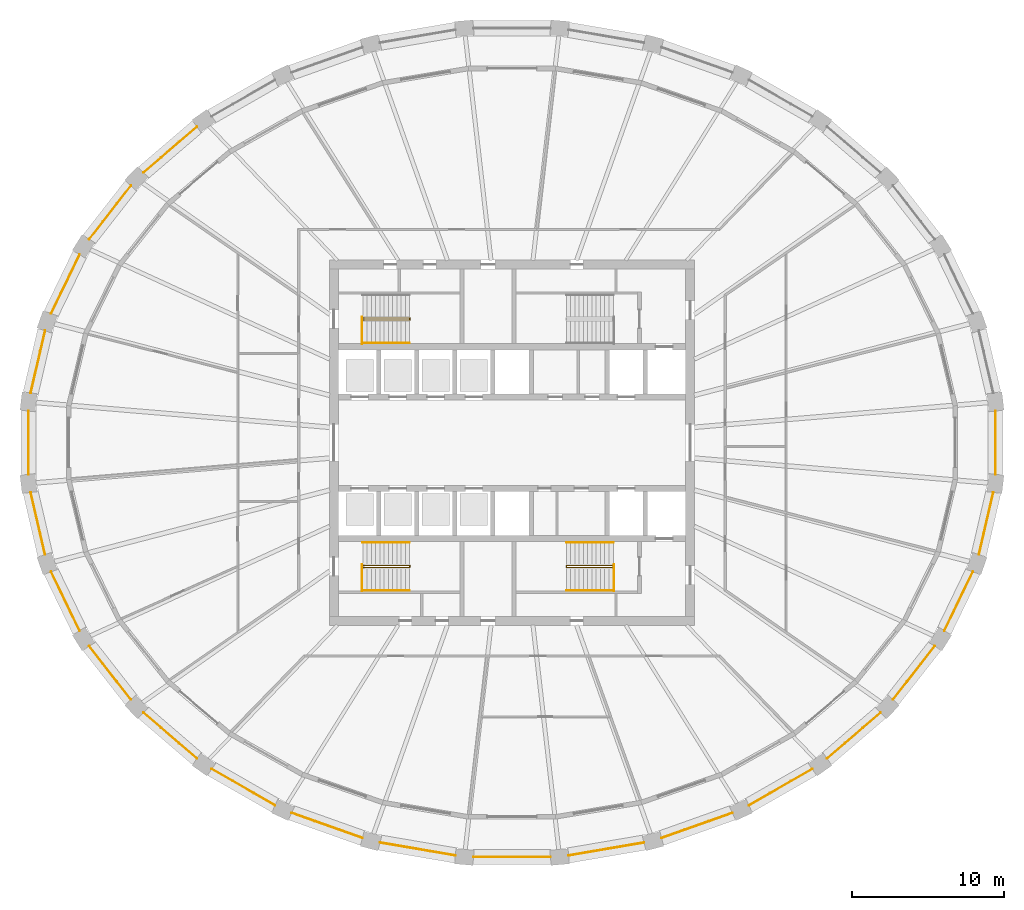
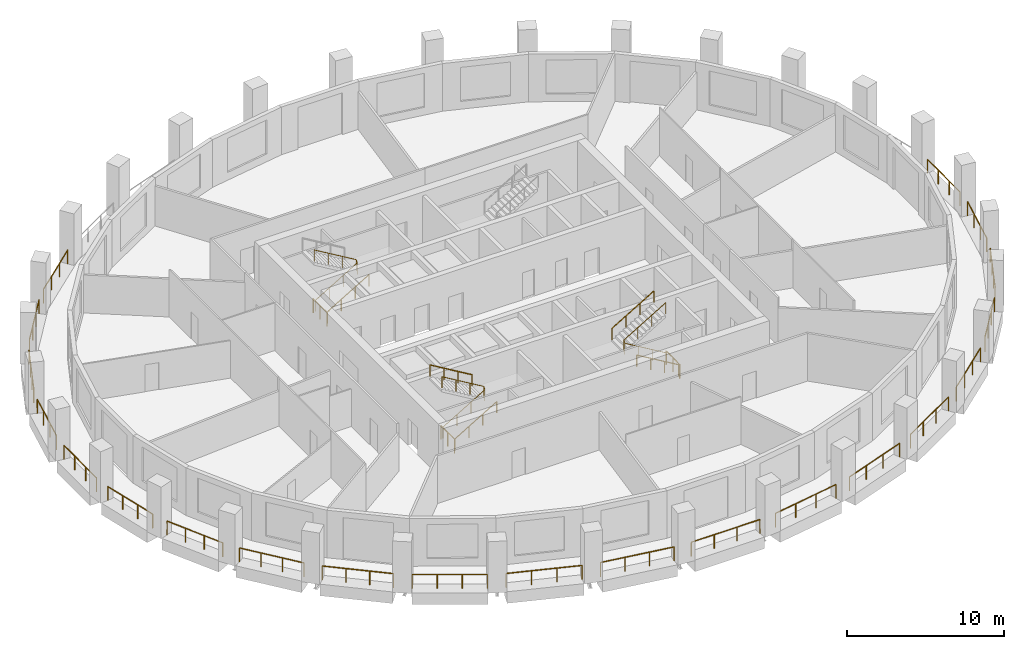
# One storey, part 9 of 11: 32 railings.
"""IFC4 building model written with IfcOpenShell, lengths in metres."""

from ifc_helpers import new_model, si_unit, direction, frame, origin, origin_2d, place, context, subcontext, project, spatial, circle, extrude, material, type_object, element, save


model = new_model("IFC4")

# Units and contexts
model_context = context("Model", 3, precision=1e-05, world=origin(), true_north=direction((0.0, 1.0)))
body_context = subcontext(model_context, "Body", "Model", "MODEL_VIEW")
ifc_project = project(units=[si_unit("LENGTHUNIT", "METRE"), si_unit("AREAUNIT", "SQUARE_METRE"), si_unit("VOLUMEUNIT", "CUBIC_METRE"), si_unit("PLANEANGLEUNIT", "RADIAN"), si_unit("MASSUNIT", "GRAM", prefix="KILO")], contexts=[model_context])

# Site, building, storey
site_placement = place(None, origin())
site = spatial("IfcSite", under=ifc_project, at=site_placement, CompositionType="ELEMENT")
building_placement = place(site_placement, origin())
building = spatial("IfcBuilding", under=site, at=building_placement, Name="Halqa Exchange Tower", CompositionType="ELEMENT")
storey_placement = place(building_placement, frame((0.0, 0.0, 218.89990234375)))
storey = spatial("IfcBuildingStorey", under=building, at=storey_placement, Name="L50", CompositionType="ELEMENT", Elevation=218.89990234375)

# Railings
ifc_material = material(Name="Stainless steel", Category="steel")
railing_type_1 = type_object("IfcRailingType", Name="Guard 1100 stainless steel", PredefinedType="GUARDRAIL", material=ifc_material)
railing_1_placement = place(storey_placement, frame((-20.689208984375, 20.7421875, 0.0)))
element("IfcRailing", 1, at=railing_1_placement, inside=storey, type_object=railing_type_1, Name="Loggia guard 12", PredefinedType="GUARDRAIL", context=body_context, shape_type="SweptSolid", body=[
    extrude(circle(Radius=0.02392578125, at=origin_2d()), frame((0.0, 0.0, 1.076171875), z_axis=(-0.759282695438, -0.650760930302, 0.0), x_axis=(0.650760930302, -0.759282695438, 0.0)), (0.0, 0.0, 1.0), 4.623046875),
    extrude(circle(Radius=0.02099609375, at=origin_2d()), origin(), (0.0, 0.0, 1.0), 1.052001953125),
    extrude(circle(Radius=0.02099609375, at=origin_2d()), frame((-1.170166015625, -1.0029296875, 0.0)), (0.0, 0.0, 1.0), 1.052001953125),
    extrude(circle(Radius=0.02099609375, at=origin_2d()), frame((-2.340087890625, -2.005615234375, 0.0)), (0.0, 0.0, 1.0), 1.052001953125),
    extrude(circle(Radius=0.02099609375, at=origin_2d()), frame((-3.51025390625, -3.008544921875, 0.0)), (0.0, 0.0, 1.0), 1.052001953125),
])
railing_2_placement = place(storey_placement, frame((-25.023681640625, 16.8701171875, 0.0)))
element("IfcRailing", 2, at=railing_2_placement, inside=storey, type_object=railing_type_1, Name="Loggia guard 13", PredefinedType="GUARDRAIL", context=body_context, shape_type="SweptSolid", body=[
    extrude(circle(Radius=0.02392578125, at=origin_2d()), frame((0.0, 0.0, 1.076171875), z_axis=(-0.614817574513, -0.788669354083, 0.0), x_axis=(0.788669354083, -0.614817574513, 0.0)), (0.0, 0.0, 1.0), 4.4501953125),
    extrude(circle(Radius=0.02099609375, at=origin_2d()), origin(), (0.0, 0.0, 1.0), 1.052001953125),
    extrude(circle(Radius=0.02099609375, at=origin_2d()), frame((-0.912109375, -1.169921875, 0.0)), (0.0, 0.0, 1.0), 1.052001953125),
    extrude(circle(Radius=0.02099609375, at=origin_2d()), frame((-1.823974609375, -2.33984375, 0.0)), (0.0, 0.0, 1.0), 1.052001953125),
    extrude(circle(Radius=0.02099609375, at=origin_2d()), frame((-2.736083984375, -3.509765625, 0.0)), (0.0, 0.0, 1.0), 1.052001953125),
])
railing_3_placement = place(storey_placement, frame((-28.3896484375, 12.346923828125, 0.0)))
element("IfcRailing", 3, at=railing_3_placement, inside=storey, type_object=railing_type_1, Name="Loggia guard 14", PredefinedType="GUARDRAIL", context=body_context, shape_type="SweptSolid", body=[
    extrude(circle(Radius=0.02392578125, at=origin_2d()), frame((0.0, 0.0, 1.076171875), z_axis=(-0.435111117013, -0.900376763278, 0.0), x_axis=(0.900376763278, -0.435111117013, 0.0)), (0.0, 0.0, 1.0), 4.299072265625),
    extrude(circle(Radius=0.02099609375, at=origin_2d()), origin(), (0.0, 0.0, 1.0), 1.052001953125),
    extrude(circle(Radius=0.02099609375, at=origin_2d()), frame((-0.62353515625, -1.290283203125, 0.0)), (0.0, 0.0, 1.0), 1.052001953125),
    extrude(circle(Radius=0.02099609375, at=origin_2d()), frame((-1.2470703125, -2.58056640625, 0.0)), (0.0, 0.0, 1.0), 1.052001953125),
    extrude(circle(Radius=0.02099609375, at=origin_2d()), frame((-1.87060546875, -3.870849609375, 0.0)), (0.0, 0.0, 1.0), 1.052001953125),
])
railing_4_placement = place(storey_placement, frame((-30.656982421875, 7.351318359375, 0.0)))
element("IfcRailing", 4, at=railing_4_placement, inside=storey, type_object=railing_type_1, Name="Loggia guard 15", PredefinedType="GUARDRAIL", context=body_context, shape_type="SweptSolid", body=[
    extrude(circle(Radius=0.02392578125, at=origin_2d()), frame((0.0, 0.0, 1.076171875), z_axis=(-0.226057733886, -0.974113905532, 0.0), x_axis=(0.974113905532, -0.226057733886, 0.0)), (0.0, 0.0, 1.0), 4.19580078125),
    extrude(circle(Radius=0.02099609375, at=origin_2d()), origin(), (0.0, 0.0, 1.0), 1.052001953125),
    extrude(circle(Radius=0.02099609375, at=origin_2d()), frame((-0.316162109375, -1.3623046875, 0.0)), (0.0, 0.0, 1.0), 1.052001953125),
    extrude(circle(Radius=0.02099609375, at=origin_2d()), frame((-0.63232421875, -2.724853515625, 0.0)), (0.0, 0.0, 1.0), 1.052001953125),
    extrude(circle(Radius=0.02099609375, at=origin_2d()), frame((-0.948486328125, -4.087158203125, 0.0)), (0.0, 0.0, 1.0), 1.052001953125),
])
railing_5_placement = place(storey_placement, frame((-31.7412109375, 2.07958984375, 0.0)))
element("IfcRailing", 5, at=railing_5_placement, inside=storey, type_object=railing_type_1, Name="Loggia guard 16", PredefinedType="GUARDRAIL", context=body_context, shape_type="SweptSolid", body=[
    extrude(circle(Radius=0.02392578125, at=origin_2d()), frame((0.0, 0.0, 1.076171875), z_axis=(0.0, -1.0, 0.0), x_axis=(1.0, 0.0, 0.0)), (0.0, 0.0, 1.0), 4.1591796875),
    extrude(circle(Radius=0.02099609375, at=origin_2d()), origin(), (0.0, 0.0, 1.0), 1.052001953125),
    extrude(circle(Radius=0.02099609375, at=origin_2d()), frame((0.0, -1.386474609375, 0.0)), (0.0, 0.0, 1.0), 1.052001953125),
    extrude(circle(Radius=0.02099609375, at=origin_2d()), frame((0.0, -2.772705078125, 0.0)), (0.0, 0.0, 1.0), 1.052001953125),
    extrude(circle(Radius=0.02099609375, at=origin_2d()), frame((0.0, -4.1591796875, 0.0)), (0.0, 0.0, 1.0), 1.052001953125),
])
railing_6_placement = place(storey_placement, frame((-31.60546875, -3.26416015625, 0.0)))
element("IfcRailing", 6, at=railing_6_placement, inside=storey, type_object=railing_type_1, Name="Loggia guard 17", PredefinedType="GUARDRAIL", context=body_context, shape_type="SweptSolid", body=[
    extrude(circle(Radius=0.02392578125, at=origin_2d()), frame((0.0, 0.0, 1.076171875), z_axis=(0.226057733886, -0.974113905532, 0.0), x_axis=(0.974113905532, 0.226057733886, 0.0)), (0.0, 0.0, 1.0), 4.19580078125),
    extrude(circle(Radius=0.02099609375, at=origin_2d()), origin(), (0.0, 0.0, 1.0), 1.052001953125),
    extrude(circle(Radius=0.02099609375, at=origin_2d()), frame((0.316162109375, -1.3623046875, 0.0)), (0.0, 0.0, 1.0), 1.052001953125),
    extrude(circle(Radius=0.02099609375, at=origin_2d()), frame((0.63232421875, -2.724853515625, 0.0)), (0.0, 0.0, 1.0), 1.052001953125),
    extrude(circle(Radius=0.02099609375, at=origin_2d()), frame((0.948486328125, -4.087158203125, 0.0)), (0.0, 0.0, 1.0), 1.052001953125),
])
railing_7_placement = place(storey_placement, frame((-30.26025390625, -8.47607421875, 0.0)))
element("IfcRailing", 7, at=railing_7_placement, inside=storey, type_object=railing_type_1, Name="Loggia guard 18", PredefinedType="GUARDRAIL", context=body_context, shape_type="SweptSolid", body=[
    extrude(circle(Radius=0.02392578125, at=origin_2d()), frame((0.0, 0.0, 1.076171875), z_axis=(0.435111117013, -0.900376763278, 0.0), x_axis=(0.900376763278, 0.435111117013, 0.0)), (0.0, 0.0, 1.0), 4.299072265625),
    extrude(circle(Radius=0.02099609375, at=origin_2d()), origin(), (0.0, 0.0, 1.0), 1.052001953125),
    extrude(circle(Radius=0.02099609375, at=origin_2d()), frame((0.62353515625, -1.290283203125, 0.0)), (0.0, 0.0, 1.0), 1.052001953125),
    extrude(circle(Radius=0.02099609375, at=origin_2d()), frame((1.2470703125, -2.58056640625, 0.0)), (0.0, 0.0, 1.0), 1.052001953125),
    extrude(circle(Radius=0.02099609375, at=origin_2d()), frame((1.87060546875, -3.870849609375, 0.0)), (0.0, 0.0, 1.0), 1.052001953125),
])
railing_8_placement = place(storey_placement, frame((-27.759765625, -13.3603515625, 0.0)))
element("IfcRailing", 8, at=railing_8_placement, inside=storey, type_object=railing_type_1, Name="Loggia guard 19", PredefinedType="GUARDRAIL", context=body_context, shape_type="SweptSolid", body=[
    extrude(circle(Radius=0.02392578125, at=origin_2d()), frame((0.0, 0.0, 1.076171875), z_axis=(0.614817574513, -0.788669354083, 0.0), x_axis=(0.788669354083, 0.614817574513, 0.0)), (0.0, 0.0, 1.0), 4.4501953125),
    extrude(circle(Radius=0.02099609375, at=origin_2d()), origin(), (0.0, 0.0, 1.0), 1.052001953125),
    extrude(circle(Radius=0.02099609375, at=origin_2d()), frame((0.912109375, -1.169921875, 0.0)), (0.0, 0.0, 1.0), 1.052001953125),
    extrude(circle(Radius=0.02099609375, at=origin_2d()), frame((1.823974609375, -2.33984375, 0.0)), (0.0, 0.0, 1.0), 1.052001953125),
    extrude(circle(Radius=0.02099609375, at=origin_2d()), frame((2.736083984375, -3.509765625, 0.0)), (0.0, 0.0, 1.0), 1.052001953125),
])
railing_9_placement = place(storey_placement, frame((-24.199462890625, -17.733642578125, 0.0)))
element("IfcRailing", 9, at=railing_9_placement, inside=storey, type_object=railing_type_1, Name="Loggia guard 20", PredefinedType="GUARDRAIL", context=body_context, shape_type="SweptSolid", body=[
    extrude(circle(Radius=0.02392578125, at=origin_2d()), frame((0.0, 0.0, 1.076171875), z_axis=(0.759282695438, -0.650760930302, 0.0), x_axis=(0.650760930302, 0.759282695438, 0.0)), (0.0, 0.0, 1.0), 4.623046875),
    extrude(circle(Radius=0.02099609375, at=origin_2d()), origin(), (0.0, 0.0, 1.0), 1.052001953125),
    extrude(circle(Radius=0.02099609375, at=origin_2d()), frame((1.170166015625, -1.0029296875, 0.0)), (0.0, 0.0, 1.0), 1.052001953125),
    extrude(circle(Radius=0.02099609375, at=origin_2d()), frame((2.340087890625, -2.005615234375, 0.0)), (0.0, 0.0, 1.0), 1.052001953125),
    extrude(circle(Radius=0.02099609375, at=origin_2d()), frame((3.51025390625, -3.008544921875, 0.0)), (0.0, 0.0, 1.0), 1.052001953125),
])
railing_10_placement = place(storey_placement, frame((-19.713134765625, -21.430908203125, 0.0)))
element("IfcRailing", 10, at=railing_10_placement, inside=storey, type_object=railing_type_1, Name="Loggia guard 21", PredefinedType="GUARDRAIL", context=body_context, shape_type="SweptSolid", body=[
    extrude(circle(Radius=0.02392578125, at=origin_2d()), frame((0.0, 0.0, 1.076171875), z_axis=(0.867744081254, -0.497011276983, 0.0), x_axis=(0.497011276983, 0.867744081254, 0.0)), (0.0, 0.0, 1.0), 4.790771484375),
    extrude(circle(Radius=0.02099609375, at=origin_2d()), origin(), (0.0, 0.0, 1.0), 1.052001953125),
    extrude(circle(Radius=0.02099609375, at=origin_2d()), frame((1.3857421875, -0.793701171875, 0.0)), (0.0, 0.0, 1.0), 1.052001953125),
    extrude(circle(Radius=0.02099609375, at=origin_2d()), frame((2.771484375, -1.58740234375, 0.0)), (0.0, 0.0, 1.0), 1.052001953125),
    extrude(circle(Radius=0.02099609375, at=origin_2d()), frame((4.1572265625, -2.381103515625, 0.0)), (0.0, 0.0, 1.0), 1.052001953125),
])
railing_11_placement = place(storey_placement, frame((-14.4697265625, -24.310791015625, 0.0)))
element("IfcRailing", 11, at=railing_11_placement, inside=storey, type_object=railing_type_1, Name="Loggia guard 22", PredefinedType="GUARDRAIL", context=body_context, shape_type="SweptSolid", body=[
    extrude(circle(Radius=0.02392578125, at=origin_2d()), frame((0.0, 0.0, 1.076171875), z_axis=(0.942353210316, -0.334619824589, 0.0), x_axis=(0.334619824589, 0.942353210316, 0.0)), (0.0, 0.0, 1.0), 4.929931640625),
    extrude(circle(Radius=0.02099609375, at=origin_2d()), origin(), (0.0, 0.0, 1.0), 1.052001953125),
    extrude(circle(Radius=0.02099609375, at=origin_2d()), frame((1.548583984375, -0.5498046875, 0.0)), (0.0, 0.0, 1.0), 1.052001953125),
    extrude(circle(Radius=0.02099609375, at=origin_2d()), frame((3.09716796875, -1.099853515625, 0.0)), (0.0, 0.0, 1.0), 1.052001953125),
    extrude(circle(Radius=0.02099609375, at=origin_2d()), frame((4.645751953125, -1.649658203125, 0.0)), (0.0, 0.0, 1.0), 1.052001953125),
])
railing_12_placement = place(storey_placement, frame((-8.6669921875, -26.261962890625, 0.0)))
element("IfcRailing", 12, at=railing_12_placement, inside=storey, type_object=railing_type_1, Name="Loggia guard 23", PredefinedType="GUARDRAIL", context=body_context, shape_type="SweptSolid", body=[
    extrude(circle(Radius=0.02392578125, at=origin_2d()), frame((0.0, 0.0, 1.076171875), z_axis=(0.985769265173, -0.168104003044, 0.0), x_axis=(0.168104003044, 0.985769265173, 0.0)), (0.0, 0.0, 1.0), 5.020751953125),
    extrude(circle(Radius=0.02099609375, at=origin_2d()), origin(), (0.0, 0.0, 1.0), 1.052001953125),
    extrude(circle(Radius=0.02099609375, at=origin_2d()), frame((1.649658203125, -0.28125, 0.0)), (0.0, 0.0, 1.0), 1.052001953125),
    extrude(circle(Radius=0.02099609375, at=origin_2d()), frame((3.299560546875, -0.562744140625, 0.0)), (0.0, 0.0, 1.0), 1.052001953125),
    extrude(circle(Radius=0.02099609375, at=origin_2d()), frame((4.94921875, -0.843994140625, 0.0)), (0.0, 0.0, 1.0), 1.052001953125),
])
railing_13_placement = place(storey_placement, frame((-2.526123046875, -27.206787109375, 0.0)))
element("IfcRailing", 13, at=railing_13_placement, inside=storey, type_object=railing_type_1, Name="Loggia guard 24", PredefinedType="GUARDRAIL", context=body_context, shape_type="SweptSolid", body=[
    extrude(circle(Radius=0.02392578125, at=origin_2d()), frame((0.0, 0.0, 1.076171875), z_axis=(1.0, 0.0, 0.0), x_axis=(0.0, 1.0, 0.0)), (0.0, 0.0, 1.0), 5.05224609375),
    extrude(circle(Radius=0.02099609375, at=origin_2d()), origin(), (0.0, 0.0, 1.0), 1.052001953125),
    extrude(circle(Radius=0.02099609375, at=origin_2d()), frame((1.68408203125, 0.0, 0.0)), (0.0, 0.0, 1.0), 1.052001953125),
    extrude(circle(Radius=0.02099609375, at=origin_2d()), frame((3.3681640625, 0.0, 0.0)), (0.0, 0.0, 1.0), 1.052001953125),
    extrude(circle(Radius=0.02099609375, at=origin_2d()), frame((5.05224609375, 0.0, 0.0)), (0.0, 0.0, 1.0), 1.052001953125),
])
railing_14_placement = place(storey_placement, frame((3.7177734375, -27.10595703125, 0.0)))
element("IfcRailing", 14, at=railing_14_placement, inside=storey, type_object=railing_type_1, Name="Loggia guard 25", PredefinedType="GUARDRAIL", context=body_context, shape_type="SweptSolid", body=[
    extrude(circle(Radius=0.02392578125, at=origin_2d()), frame((0.0, 0.0, 1.076171875), z_axis=(0.985769265173, 0.168104003044, 0.0), x_axis=(-0.168104003044, 0.985769265173, 0.0)), (0.0, 0.0, 1.0), 5.020751953125),
    extrude(circle(Radius=0.02099609375, at=origin_2d()), origin(), (0.0, 0.0, 1.0), 1.052001953125),
    extrude(circle(Radius=0.02099609375, at=origin_2d()), frame((1.649658203125, 0.28125, 0.0)), (0.0, 0.0, 1.0), 1.052001953125),
    extrude(circle(Radius=0.02099609375, at=origin_2d()), frame((3.299560546875, 0.562744140625, 0.0)), (0.0, 0.0, 1.0), 1.052001953125),
    extrude(circle(Radius=0.02099609375, at=origin_2d()), frame((4.94921875, 0.843994140625, 0.0)), (0.0, 0.0, 1.0), 1.052001953125),
])
railing_15_placement = place(storey_placement, frame((9.823974609375, -25.96044921875, 0.0)))
element("IfcRailing", 15, at=railing_15_placement, inside=storey, type_object=railing_type_1, Name="Loggia guard 26", PredefinedType="GUARDRAIL", context=body_context, shape_type="SweptSolid", body=[
    extrude(circle(Radius=0.02392578125, at=origin_2d()), frame((0.0, 0.0, 1.076171875), z_axis=(0.942353210316, 0.334619824589, 0.0), x_axis=(-0.334619824589, 0.942353210316, 0.0)), (0.0, 0.0, 1.0), 4.929931640625),
    extrude(circle(Radius=0.02099609375, at=origin_2d()), origin(), (0.0, 0.0, 1.0), 1.052001953125),
    extrude(circle(Radius=0.02099609375, at=origin_2d()), frame((1.548583984375, 0.5498046875, 0.0)), (0.0, 0.0, 1.0), 1.052001953125),
    extrude(circle(Radius=0.02099609375, at=origin_2d()), frame((3.09716796875, 1.099853515625, 0.0)), (0.0, 0.0, 1.0), 1.052001953125),
    extrude(circle(Radius=0.02099609375, at=origin_2d()), frame((4.645751953125, 1.649658203125, 0.0)), (0.0, 0.0, 1.0), 1.052001953125),
])
railing_16_placement = place(storey_placement, frame((15.555908203125, -23.81201171875, 0.0)))
element("IfcRailing", 16, at=railing_16_placement, inside=storey, type_object=railing_type_1, Name="Loggia guard 27", PredefinedType="GUARDRAIL", context=body_context, shape_type="SweptSolid", body=[
    extrude(circle(Radius=0.02392578125, at=origin_2d()), frame((0.0, 0.0, 1.076171875), z_axis=(0.867744081254, 0.497011276983, 0.0), x_axis=(-0.497011276983, 0.867744081254, 0.0)), (0.0, 0.0, 1.0), 4.790771484375),
    extrude(circle(Radius=0.02099609375, at=origin_2d()), origin(), (0.0, 0.0, 1.0), 1.052001953125),
    extrude(circle(Radius=0.02099609375, at=origin_2d()), frame((1.3857421875, 0.793701171875, 0.0)), (0.0, 0.0, 1.0), 1.052001953125),
    extrude(circle(Radius=0.02099609375, at=origin_2d()), frame((2.771484375, 1.58740234375, 0.0)), (0.0, 0.0, 1.0), 1.052001953125),
    extrude(circle(Radius=0.02099609375, at=origin_2d()), frame((4.1572265625, 2.381103515625, 0.0)), (0.0, 0.0, 1.0), 1.052001953125),
])
railing_17_placement = place(storey_placement, frame((20.689208984375, -20.7421875, 0.0)))
element("IfcRailing", 17, at=railing_17_placement, inside=storey, type_object=railing_type_1, Name="Loggia guard 28", PredefinedType="GUARDRAIL", context=body_context, shape_type="SweptSolid", body=[
    extrude(circle(Radius=0.02392578125, at=origin_2d()), frame((0.0, 0.0, 1.076171875), z_axis=(0.759282695438, 0.650760930302, 0.0), x_axis=(-0.650760930302, 0.759282695438, 0.0)), (0.0, 0.0, 1.0), 4.623046875),
    extrude(circle(Radius=0.02099609375, at=origin_2d()), origin(), (0.0, 0.0, 1.0), 1.052001953125),
    extrude(circle(Radius=0.02099609375, at=origin_2d()), frame((1.170166015625, 1.0029296875, 0.0)), (0.0, 0.0, 1.0), 1.052001953125),
    extrude(circle(Radius=0.02099609375, at=origin_2d()), frame((2.340087890625, 2.005615234375, 0.0)), (0.0, 0.0, 1.0), 1.052001953125),
    extrude(circle(Radius=0.02099609375, at=origin_2d()), frame((3.51025390625, 3.008544921875, 0.0)), (0.0, 0.0, 1.0), 1.052001953125),
])
railing_18_placement = place(storey_placement, frame((25.023681640625, -16.8701171875, 0.0)))
element("IfcRailing", 18, at=railing_18_placement, inside=storey, type_object=railing_type_1, Name="Loggia guard 29", PredefinedType="GUARDRAIL", context=body_context, shape_type="SweptSolid", body=[
    extrude(circle(Radius=0.02392578125, at=origin_2d()), frame((0.0, 0.0, 1.076171875), z_axis=(0.614817574513, 0.788669354083, 0.0), x_axis=(-0.788669354083, 0.614817574513, 0.0)), (0.0, 0.0, 1.0), 4.4501953125),
    extrude(circle(Radius=0.02099609375, at=origin_2d()), origin(), (0.0, 0.0, 1.0), 1.052001953125),
    extrude(circle(Radius=0.02099609375, at=origin_2d()), frame((0.912109375, 1.169921875, 0.0)), (0.0, 0.0, 1.0), 1.052001953125),
    extrude(circle(Radius=0.02099609375, at=origin_2d()), frame((1.823974609375, 2.33984375, 0.0)), (0.0, 0.0, 1.0), 1.052001953125),
    extrude(circle(Radius=0.02099609375, at=origin_2d()), frame((2.736083984375, 3.509765625, 0.0)), (0.0, 0.0, 1.0), 1.052001953125),
])
railing_19_placement = place(storey_placement, frame((28.3896484375, -12.346923828125, 0.0)))
element("IfcRailing", 19, at=railing_19_placement, inside=storey, type_object=railing_type_1, Name="Loggia guard 30", PredefinedType="GUARDRAIL", context=body_context, shape_type="SweptSolid", body=[
    extrude(circle(Radius=0.02392578125, at=origin_2d()), frame((0.0, 0.0, 1.076171875), z_axis=(0.435111117013, 0.900376763278, 0.0), x_axis=(-0.900376763278, 0.435111117013, 0.0)), (0.0, 0.0, 1.0), 4.299072265625),
    extrude(circle(Radius=0.02099609375, at=origin_2d()), origin(), (0.0, 0.0, 1.0), 1.052001953125),
    extrude(circle(Radius=0.02099609375, at=origin_2d()), frame((0.62353515625, 1.290283203125, 0.0)), (0.0, 0.0, 1.0), 1.052001953125),
    extrude(circle(Radius=0.02099609375, at=origin_2d()), frame((1.2470703125, 2.58056640625, 0.0)), (0.0, 0.0, 1.0), 1.052001953125),
    extrude(circle(Radius=0.02099609375, at=origin_2d()), frame((1.87060546875, 3.870849609375, 0.0)), (0.0, 0.0, 1.0), 1.052001953125),
])
railing_20_placement = place(storey_placement, frame((30.656982421875, -7.351318359375, 0.0)))
element("IfcRailing", 20, at=railing_20_placement, inside=storey, type_object=railing_type_1, Name="Loggia guard 31", PredefinedType="GUARDRAIL", context=body_context, shape_type="SweptSolid", body=[
    extrude(circle(Radius=0.02392578125, at=origin_2d()), frame((0.0, 0.0, 1.076171875), z_axis=(0.226057733886, 0.974113905532, 0.0), x_axis=(-0.974113905532, 0.226057733886, 0.0)), (0.0, 0.0, 1.0), 4.19580078125),
    extrude(circle(Radius=0.02099609375, at=origin_2d()), origin(), (0.0, 0.0, 1.0), 1.052001953125),
    extrude(circle(Radius=0.02099609375, at=origin_2d()), frame((0.316162109375, 1.3623046875, 0.0)), (0.0, 0.0, 1.0), 1.052001953125),
    extrude(circle(Radius=0.02099609375, at=origin_2d()), frame((0.63232421875, 2.724853515625, 0.0)), (0.0, 0.0, 1.0), 1.052001953125),
    extrude(circle(Radius=0.02099609375, at=origin_2d()), frame((0.948486328125, 4.087158203125, 0.0)), (0.0, 0.0, 1.0), 1.052001953125),
])
railing_21_placement = place(storey_placement, frame((31.7412109375, -2.07958984375, 0.0)))
element("IfcRailing", 21, at=railing_21_placement, inside=storey, type_object=railing_type_1, Name="Loggia guard 32", PredefinedType="GUARDRAIL", context=body_context, shape_type="SweptSolid", body=[
    extrude(circle(Radius=0.02392578125, at=origin_2d()), frame((0.0, 0.0, 1.076171875), z_axis=(0.0, 1.0, 0.0), x_axis=(-1.0, 0.0, 0.0)), (0.0, 0.0, 1.0), 4.1591796875),
    extrude(circle(Radius=0.02099609375, at=origin_2d()), origin(), (0.0, 0.0, 1.0), 1.052001953125),
    extrude(circle(Radius=0.02099609375, at=origin_2d()), frame((0.0, 1.386474609375, 0.0)), (0.0, 0.0, 1.0), 1.052001953125),
    extrude(circle(Radius=0.02099609375, at=origin_2d()), frame((0.0, 2.772705078125, 0.0)), (0.0, 0.0, 1.0), 1.052001953125),
    extrude(circle(Radius=0.02099609375, at=origin_2d()), frame((0.0, 4.1591796875, 0.0)), (0.0, 0.0, 1.0), 1.052001953125),
])
railing_type_2 = type_object("IfcRailingType", Name="Stair handrail 900", PredefinedType="HANDRAIL", material=ifc_material)
railing_22_placement = place(storey_placement, frame((-9.800048828125, 8.06005859375, 0.166748046875)))
element("IfcRailing", 22, at=railing_22_placement, inside=storey, type_object=railing_type_2, Name="Handrail ST1.1", PredefinedType="HANDRAIL", context=body_context, shape_type="SweptSolid", body=[
    extrude(circle(Radius=0.02392578125, at=origin_2d()), frame((0.0, 0.0, 0.8759765625), z_axis=(0.859308565015, 0.0, 0.511457515432), x_axis=(0.0, 1.0, 0.0)), (0.0, 0.0, 1.0), 3.58447265625),
    extrude(circle(Radius=0.02392578125, at=origin_2d()), frame((3.080078125, 0.0, 2.708984375), z_axis=(0.0, 0.614500226555, 0.788916644243), x_axis=(-1.0, 0.0, 0.0)), (0.0, 0.0, 1.0), 0.21142578125),
    extrude(circle(Radius=0.02392578125, at=origin_2d()), frame((3.080078125, 0.1298828125, 2.8759765625), z_axis=(-0.859308565015, 0.0, 0.511457515432), x_axis=(0.0, -1.0, 0.0)), (0.0, 0.0, 1.0), 3.58447265625),
    extrude(circle(Radius=0.02099609375, at=origin_2d()), origin(), (0.0, 0.0, 1.0), 0.851806640625),
    extrude(circle(Radius=0.02099609375, at=origin_2d()), frame((1.026611328125, 0.0, 0.611083984375)), (0.0, 0.0, 1.0), 0.851806640625),
    extrude(circle(Radius=0.02099609375, at=origin_2d()), frame((2.053466796875, 0.0, 1.22216796875)), (0.0, 0.0, 1.0), 0.851806640625),
    extrude(circle(Radius=0.02099609375, at=origin_2d()), frame((3.080078125, 0.0, 1.833251953125)), (0.0, 0.0, 1.0), 0.851806640625),
    extrude(circle(Radius=0.02099609375, at=origin_2d()), frame((3.080078125, 0.1298828125, 2.0)), (0.0, 0.0, 1.0), 0.851806640625),
    extrude(circle(Radius=0.02099609375, at=origin_2d()), frame((2.053466796875, 0.1298828125, 2.611083984375)), (0.0, 0.0, 1.0), 0.851806640625),
    extrude(circle(Radius=0.02099609375, at=origin_2d()), frame((1.026611328125, 0.1298828125, 3.22216796875)), (0.0, 0.0, 1.0), 0.851806640625),
    extrude(circle(Radius=0.02099609375, at=origin_2d()), frame((0.0, 0.1298828125, 3.833251953125)), (0.0, 0.0, 1.0), 0.851806640625),
])
railing_23_placement = place(storey_placement, frame((-9.800048828125, 6.550048828125, 0.166748046875)))
element("IfcRailing", 23, at=railing_23_placement, inside=storey, type_object=railing_type_2, Name="Handrail ST1.2", PredefinedType="HANDRAIL", context=body_context, shape_type="SweptSolid", body=[
    extrude(circle(Radius=0.02392578125, at=origin_2d()), frame((0.0, 0.0, 0.8759765625), z_axis=(0.859308565015, 0.0, 0.511457515432), x_axis=(0.0, 1.0, 0.0)), (0.0, 0.0, 1.0), 3.58447265625),
    extrude(circle(Radius=0.02099609375, at=origin_2d()), origin(), (0.0, 0.0, 1.0), 0.851806640625),
    extrude(circle(Radius=0.02099609375, at=origin_2d()), frame((1.026611328125, 0.0, 0.611083984375)), (0.0, 0.0, 1.0), 0.851806640625),
    extrude(circle(Radius=0.02099609375, at=origin_2d()), frame((2.053466796875, 0.0, 1.22216796875)), (0.0, 0.0, 1.0), 0.851806640625),
    extrude(circle(Radius=0.02099609375, at=origin_2d()), frame((3.080078125, 0.0, 1.833251953125)), (0.0, 0.0, 1.0), 0.851806640625),
])
railing_24_placement = place(storey_placement, frame((-9.800048828125, -8.18994140625, 0.166748046875)))
element("IfcRailing", 24, at=railing_24_placement, inside=storey, type_object=railing_type_2, Name="Handrail ST3.1", PredefinedType="HANDRAIL", context=body_context, shape_type="SweptSolid", body=[
    extrude(circle(Radius=0.02392578125, at=origin_2d()), frame((0.0, 0.0, 0.8759765625), z_axis=(0.859308565015, 0.0, 0.511457515432), x_axis=(0.0, 1.0, 0.0)), (0.0, 0.0, 1.0), 3.58447265625),
    extrude(circle(Radius=0.02392578125, at=origin_2d()), frame((3.080078125, 0.0, 2.708984375), z_axis=(0.0, 0.614500226555, 0.788916644243), x_axis=(-1.0, 0.0, 0.0)), (0.0, 0.0, 1.0), 0.21142578125),
    extrude(circle(Radius=0.02392578125, at=origin_2d()), frame((3.080078125, 0.1298828125, 2.8759765625), z_axis=(-0.859308565015, 0.0, 0.511457515432), x_axis=(0.0, -1.0, 0.0)), (0.0, 0.0, 1.0), 3.58447265625),
    extrude(circle(Radius=0.02099609375, at=origin_2d()), origin(), (0.0, 0.0, 1.0), 0.851806640625),
    extrude(circle(Radius=0.02099609375, at=origin_2d()), frame((1.026611328125, 0.0, 0.611083984375)), (0.0, 0.0, 1.0), 0.851806640625),
    extrude(circle(Radius=0.02099609375, at=origin_2d()), frame((2.053466796875, 0.0, 1.22216796875)), (0.0, 0.0, 1.0), 0.851806640625),
    extrude(circle(Radius=0.02099609375, at=origin_2d()), frame((3.080078125, 0.0, 1.833251953125)), (0.0, 0.0, 1.0), 0.851806640625),
    extrude(circle(Radius=0.02099609375, at=origin_2d()), frame((3.080078125, 0.1298828125, 2.0)), (0.0, 0.0, 1.0), 0.851806640625),
    extrude(circle(Radius=0.02099609375, at=origin_2d()), frame((2.053466796875, 0.1298828125, 2.611083984375)), (0.0, 0.0, 1.0), 0.851806640625),
    extrude(circle(Radius=0.02099609375, at=origin_2d()), frame((1.026611328125, 0.1298828125, 3.22216796875)), (0.0, 0.0, 1.0), 0.851806640625),
    extrude(circle(Radius=0.02099609375, at=origin_2d()), frame((0.0, 0.1298828125, 3.833251953125)), (0.0, 0.0, 1.0), 0.851806640625),
])
railing_25_placement = place(storey_placement, frame((-9.800048828125, -9.699951171875, 0.166748046875)))
element("IfcRailing", 25, at=railing_25_placement, inside=storey, type_object=railing_type_2, Name="Handrail ST3.2", PredefinedType="HANDRAIL", context=body_context, shape_type="SweptSolid", body=[
    extrude(circle(Radius=0.02392578125, at=origin_2d()), frame((0.0, 0.0, 0.8759765625), z_axis=(0.859308565015, 0.0, 0.511457515432), x_axis=(0.0, 1.0, 0.0)), (0.0, 0.0, 1.0), 3.58447265625),
    extrude(circle(Radius=0.02099609375, at=origin_2d()), origin(), (0.0, 0.0, 1.0), 0.851806640625),
    extrude(circle(Radius=0.02099609375, at=origin_2d()), frame((1.026611328125, 0.0, 0.611083984375)), (0.0, 0.0, 1.0), 0.851806640625),
    extrude(circle(Radius=0.02099609375, at=origin_2d()), frame((2.053466796875, 0.0, 1.22216796875)), (0.0, 0.0, 1.0), 0.851806640625),
    extrude(circle(Radius=0.02099609375, at=origin_2d()), frame((3.080078125, 0.0, 1.833251953125)), (0.0, 0.0, 1.0), 0.851806640625),
])
railing_26_placement = place(storey_placement, frame((-6.719970703125, -6.550048828125, 2.166748046875)))
element("IfcRailing", 26, at=railing_26_placement, inside=storey, type_object=railing_type_2, Name="Handrail ST3.3", PredefinedType="HANDRAIL", context=body_context, shape_type="SweptSolid", body=[
    extrude(circle(Radius=0.02392578125, at=origin_2d()), frame((0.0, 0.0, 0.8759765625), z_axis=(-0.859308565015, 0.0, 0.511457515432), x_axis=(0.0, -1.0, 0.0)), (0.0, 0.0, 1.0), 3.58447265625),
    extrude(circle(Radius=0.02099609375, at=origin_2d()), origin(), (0.0, 0.0, 1.0), 0.851806640625),
    extrude(circle(Radius=0.02099609375, at=origin_2d()), frame((-1.026611328125, 0.0, 0.611083984375)), (0.0, 0.0, 1.0), 0.851806640625),
    extrude(circle(Radius=0.02099609375, at=origin_2d()), frame((-2.053466796875, 0.0, 1.22216796875)), (0.0, 0.0, 1.0), 0.851806640625),
    extrude(circle(Radius=0.02099609375, at=origin_2d()), frame((-3.080078125, 0.0, 1.833251953125)), (0.0, 0.0, 1.0), 0.851806640625),
])
railing_27_placement = place(storey_placement, frame((6.64990234375, -8.18994140625, 0.166748046875)))
element("IfcRailing", 27, at=railing_27_placement, inside=storey, type_object=railing_type_2, Name="Handrail ST4.1", PredefinedType="HANDRAIL", context=body_context, shape_type="SweptSolid", body=[
    extrude(circle(Radius=0.02392578125, at=origin_2d()), frame((0.0, 0.0, 0.8759765625), z_axis=(-0.859290745958, 0.0, 0.51148745235), x_axis=(0.0, -1.0, 0.0)), (0.0, 0.0, 1.0), 3.584228515625),
    extrude(circle(Radius=0.02392578125, at=origin_2d()), frame((-3.079833984375, 0.0, 2.708984375), z_axis=(0.0, 0.614500226555, 0.788916644243), x_axis=(-1.0, 0.0, 0.0)), (0.0, 0.0, 1.0), 0.21142578125),
    extrude(circle(Radius=0.02392578125, at=origin_2d()), frame((-3.079833984375, 0.1298828125, 2.8759765625), z_axis=(0.859290745958, 0.0, 0.51148745235), x_axis=(0.0, 1.0, 0.0)), (0.0, 0.0, 1.0), 3.584228515625),
    extrude(circle(Radius=0.02099609375, at=origin_2d()), origin(), (0.0, 0.0, 1.0), 0.851806640625),
    extrude(circle(Radius=0.02099609375, at=origin_2d()), frame((-1.026611328125, 0.0, 0.611083984375)), (0.0, 0.0, 1.0), 0.851806640625),
    extrude(circle(Radius=0.02099609375, at=origin_2d()), frame((-2.05322265625, 0.0, 1.22216796875)), (0.0, 0.0, 1.0), 0.851806640625),
    extrude(circle(Radius=0.02099609375, at=origin_2d()), frame((-3.079833984375, 0.0, 1.833251953125)), (0.0, 0.0, 1.0), 0.851806640625),
    extrude(circle(Radius=0.02099609375, at=origin_2d()), frame((-3.079833984375, 0.1298828125, 2.0)), (0.0, 0.0, 1.0), 0.851806640625),
    extrude(circle(Radius=0.02099609375, at=origin_2d()), frame((-2.05322265625, 0.1298828125, 2.611083984375)), (0.0, 0.0, 1.0), 0.851806640625),
    extrude(circle(Radius=0.02099609375, at=origin_2d()), frame((-1.026611328125, 0.1298828125, 3.22216796875)), (0.0, 0.0, 1.0), 0.851806640625),
    extrude(circle(Radius=0.02099609375, at=origin_2d()), frame((0.0, 0.1298828125, 3.833251953125)), (0.0, 0.0, 1.0), 0.851806640625),
])
railing_28_placement = place(storey_placement, frame((6.64990234375, -9.699951171875, 0.166748046875)))
element("IfcRailing", 28, at=railing_28_placement, inside=storey, type_object=railing_type_2, Name="Handrail ST4.2", PredefinedType="HANDRAIL", context=body_context, shape_type="SweptSolid", body=[
    extrude(circle(Radius=0.02392578125, at=origin_2d()), frame((0.0, 0.0, 0.8759765625), z_axis=(-0.859290745958, 0.0, 0.51148745235), x_axis=(0.0, -1.0, 0.0)), (0.0, 0.0, 1.0), 3.584228515625),
    extrude(circle(Radius=0.02099609375, at=origin_2d()), origin(), (0.0, 0.0, 1.0), 0.851806640625),
    extrude(circle(Radius=0.02099609375, at=origin_2d()), frame((-1.026611328125, 0.0, 0.611083984375)), (0.0, 0.0, 1.0), 0.851806640625),
    extrude(circle(Radius=0.02099609375, at=origin_2d()), frame((-2.05322265625, 0.0, 1.22216796875)), (0.0, 0.0, 1.0), 0.851806640625),
    extrude(circle(Radius=0.02099609375, at=origin_2d()), frame((-3.079833984375, 0.0, 1.833251953125)), (0.0, 0.0, 1.0), 0.851806640625),
])
railing_29_placement = place(storey_placement, frame((3.570068359375, -6.550048828125, 2.166748046875)))
element("IfcRailing", 29, at=railing_29_placement, inside=storey, type_object=railing_type_2, Name="Handrail ST4.3", PredefinedType="HANDRAIL", context=body_context, shape_type="SweptSolid", body=[
    extrude(circle(Radius=0.02392578125, at=origin_2d()), frame((0.0, 0.0, 0.8759765625), z_axis=(0.859290745958, 0.0, 0.51148745235), x_axis=(0.0, 1.0, 0.0)), (0.0, 0.0, 1.0), 3.584228515625),
    extrude(circle(Radius=0.02099609375, at=origin_2d()), origin(), (0.0, 0.0, 1.0), 0.851806640625),
    extrude(circle(Radius=0.02099609375, at=origin_2d()), frame((1.026611328125, 0.0, 0.611083984375)), (0.0, 0.0, 1.0), 0.851806640625),
    extrude(circle(Radius=0.02099609375, at=origin_2d()), frame((2.05322265625, 0.0, 1.22216796875)), (0.0, 0.0, 1.0), 0.851806640625),
    extrude(circle(Radius=0.02099609375, at=origin_2d()), frame((3.079833984375, 0.0, 1.833251953125)), (0.0, 0.0, 1.0), 0.851806640625),
])
railing_type_3 = type_object("IfcRailingType", Name="Stair well guard 1100", PredefinedType="GUARDRAIL", material=ifc_material)
for number, where, name in (
    (30, (-9.85009765625, 6.5, 0.0), "Guard ST1 well"),
    (31, (-9.85009765625, -9.75, 0.0), "Guard ST3 well"),
    (32, (6.699951171875, -9.75, 0.0), "Guard ST4 well"),
):
    element("IfcRailing", number, at=place(storey_placement, frame(where)), inside=storey, type_object=railing_type_3, Name=name, PredefinedType="GUARDRAIL", context=body_context, shape_type="SweptSolid", body=[
        extrude(circle(Radius=0.02392578125, at=origin_2d()), frame((0.0, 0.0, 1.076171875), z_axis=(0.0, 1.0, 0.0), x_axis=(-1.0, 0.0, 0.0)), (0.0, 0.0, 1.0), 1.75),
        extrude(circle(Radius=0.02099609375, at=origin_2d()), origin(), (0.0, 0.0, 1.0), 1.052001953125),
        extrude(circle(Radius=0.02099609375, at=origin_2d()), frame((0.0, 0.875, 0.0)), (0.0, 0.0, 1.0), 1.052001953125),
        extrude(circle(Radius=0.02099609375, at=origin_2d()), frame((0.0, 1.75, 0.0)), (0.0, 0.0, 1.0), 1.052001953125),
    ])

save(model, "model.ifc")
